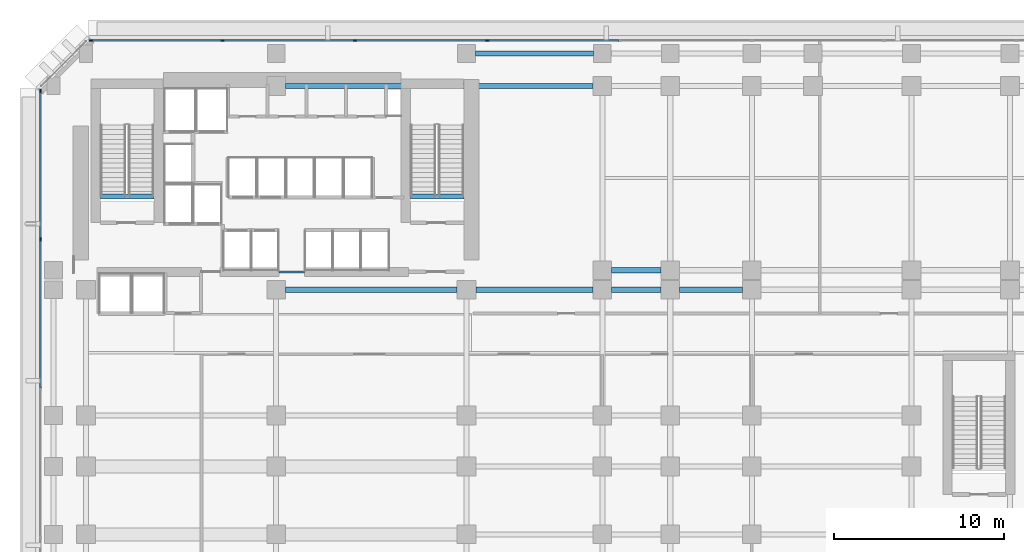
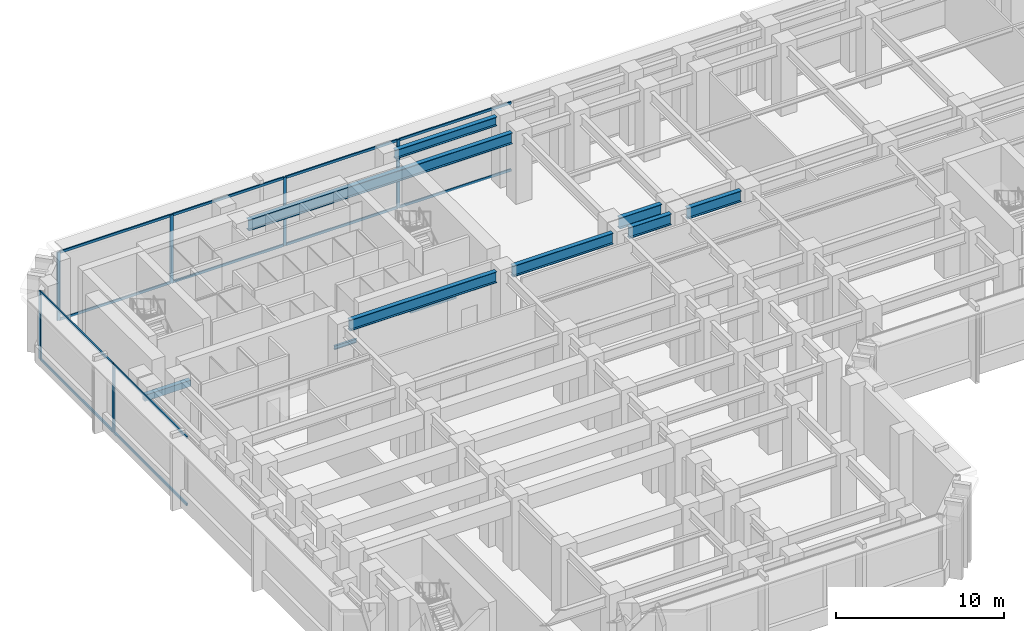
# One storey, part 5 of 20: 18 members, 10 beams, 2 elements without a shape of their own.
"""IFC4 building model written with IfcOpenShell, lengths in metres."""

from ifc_helpers import new_model, si_unit, direction, frame, origin, origin_2d, place, context, subcontext, project, spatial, rectangle, i_section, extrude, material, layer, layer_set, material_profile, profile_set, type_object, element, aggregate, save


model = new_model("IFC4")

# Units and contexts
model_context = context("Model", 3, precision=1e-05, world=origin(), true_north=direction((0.0, 1.0)))
body_context = subcontext(model_context, "Body", "Model", "MODEL_VIEW")
ifc_project = project(units=[si_unit("LENGTHUNIT", "METRE"), si_unit("AREAUNIT", "SQUARE_METRE"), si_unit("VOLUMEUNIT", "CUBIC_METRE"), si_unit("PLANEANGLEUNIT", "RADIAN"), si_unit("MASSUNIT", "GRAM", prefix="KILO")], contexts=[model_context])

# Site, building, storey
site_placement = place(None, origin())
site = spatial("IfcSite", under=ifc_project, at=site_placement, CompositionType="ELEMENT")
building_placement = place(site_placement, origin())
building = spatial("IfcBuilding", under=site, at=building_placement, Name="Kefirva Bronze Tower", CompositionType="ELEMENT")
storey_placement = place(building_placement, frame((0.0, 0.0, 5.93994140625)))
storey = spatial("IfcBuildingStorey", under=building, at=storey_placement, Name="L01", CompositionType="ELEMENT", Elevation=5.93994140625)

# Curtain wall, members
ifc_material_1 = material(Name="Bronze anodised aluminium", Category="aluminium")
ifc_layer = layer(ifc_material_1, 0.239990234375, Name="Bronze anodised aluminium")
ifc_layer_set = layer_set([ifc_layer], Name="Bronze anodised aluminium")
curtain_wall_type = type_object("IfcCurtainWallType", Name="Podium Double-Height Glazed Curtain Wall", PredefinedType="USERDEFINED", material=ifc_layer_set)
curtain_wall_1_placement = place(storey_placement, origin())
curtain_wall_1 = element("IfcCurtainWall", 1, at=curtain_wall_1_placement, inside=storey, type_object=curtain_wall_type, Name="L01 Curtain Wall 4", ObjectType="UNITISED CURTAIN WALL", PredefinedType="USERDEFINED")
ifc_material_profile_1 = material_profile(ifc_material_1, rectangle(XDim=0.090087890625, YDim=0.219970703125, at=origin_2d()), Name="ALU 90x220")
ifc_profile_set_1 = profile_set([ifc_material_profile_1], Name="Bronze anodised aluminium")
member_type_1 = type_object("IfcMemberType", Name="Bronze Mullion 90x220", PredefinedType="MULLION", material=ifc_profile_set_1)
member_1_placement = place(storey_placement, frame((24.422119140625, 47.8798828125, 0.0), z_axis=(0.0, 0.0, 1.0), x_axis=(0.0, -1.0, 0.0)))
member_1 = element("IfcMember", 2, at=member_1_placement, type_object=member_type_1, Name="CW-05 mullion 8", PredefinedType="MULLION", context=body_context, shape_type="SweptSolid", body=[
    extrude(rectangle(XDim=0.090087890625, YDim=0.219970703125, at=origin_2d()), origin(), (0.0, 0.0, 1.0), 4.9599609375),
])
member_2_placement = place(storey_placement, frame((16.633056640625, 47.8798828125, 0.0), z_axis=(0.0, 0.0, 1.0), x_axis=(0.0, -1.0, 0.0)))
member_2 = element("IfcMember", 3, at=member_2_placement, type_object=member_type_1, Name="CW-05 mullion 9", PredefinedType="MULLION", context=body_context, shape_type="SweptSolid", body=[
    extrude(rectangle(XDim=0.090087890625, YDim=0.219970703125, at=origin_2d()), origin(), (0.0, 0.0, 1.0), 4.9599609375),
])
member_3_placement = place(storey_placement, frame((8.843994140625, 47.8798828125, 0.0), z_axis=(0.0, 0.0, 1.0), x_axis=(0.0, -1.0, 0.0)))
member_3 = element("IfcMember", 4, at=member_3_placement, type_object=member_type_1, Name="CW-05 mullion 10", PredefinedType="MULLION", context=body_context, shape_type="SweptSolid", body=[
    extrude(rectangle(XDim=0.090087890625, YDim=0.219970703125, at=origin_2d()), origin(), (0.0, 0.0, 1.0), 4.9599609375),
])
member_4_placement = place(storey_placement, frame((1.10009765625, 47.8798828125, 0.0), z_axis=(0.0, 0.0, 1.0), x_axis=(0.0, -1.0, 0.0)))
member_4 = element("IfcMember", 5, at=member_4_placement, type_object=member_type_1, Name="CW-05 mullion 11", PredefinedType="MULLION", context=body_context, shape_type="SweptSolid", body=[
    extrude(rectangle(XDim=0.090087890625, YDim=0.219970703125, at=origin_2d()), origin(), (0.0, 0.0, 1.0), 4.9599609375),
])

curtain_wall_2_placement = place(storey_placement, origin())
curtain_wall_2 = element("IfcCurtainWall", 6, at=curtain_wall_2_placement, inside=storey, type_object=curtain_wall_type, Name="L01 Curtain Wall 5", ObjectType="UNITISED CURTAIN WALL", PredefinedType="USERDEFINED")
member_5_placement = place(storey_placement, frame((-1.8798828125, 44.89990234375, 0.0), z_axis=(0.0, 0.0, 1.0), x_axis=(1.0, 0.0, 0.0)))
member_5 = element("IfcMember", 7, at=member_5_placement, type_object=member_type_1, Name="CW-05 mullion 1", PredefinedType="MULLION", context=body_context, shape_type="SweptSolid", body=[
    extrude(rectangle(XDim=0.090087890625, YDim=0.219970703125, at=origin_2d()), origin(), (0.0, 0.0, 1.0), 4.9599609375),
])
member_6_placement = place(storey_placement, frame((-1.8798828125, 36.1669921875, 0.0), z_axis=(0.0, 0.0, 1.0), x_axis=(1.0, 0.0, 0.0)))
member_6 = element("IfcMember", 8, at=member_6_placement, type_object=member_type_1, Name="CW-05 mullion 2", PredefinedType="MULLION", context=body_context, shape_type="SweptSolid", body=[
    extrude(rectangle(XDim=0.090087890625, YDim=0.219970703125, at=origin_2d()), origin(), (0.0, 0.0, 1.0), 4.9599609375),
])

# Member
ifc_material_profile_2 = material_profile(ifc_material_1, rectangle(XDim=0.090087890625, YDim=0.179931640625, at=origin_2d()), Name="ALU 90x180")
ifc_profile_set_2 = profile_set([ifc_material_profile_2], Name="Bronze anodised aluminium")
member_type_2 = type_object("IfcMemberType", Name="Bronze Transom 90x180", PredefinedType="USERDEFINED", material=ifc_profile_set_2)
member_7_placement = place(storey_placement, frame((32.166015625, 47.8798828125, 0.045166015625), z_axis=(-1.0, 0.0, 0.0), x_axis=(0.0, -1.0, 0.0)))
member_7 = element("IfcMember", 9, at=member_7_placement, type_object=member_type_2, Name="CW-05 transom 7.1", ObjectType="TRANSOM", PredefinedType="USERDEFINED", context=body_context, shape_type="SweptSolid", body=[
    extrude(rectangle(XDim=0.090087890625, YDim=0.179931640625, at=origin_2d()), origin(), (0.0, 0.0, 1.0), 7.698974609375),
])

member_8_placement = place(storey_placement, frame((32.166015625, 47.8798828125, 4.9150390625), z_axis=(-1.0, 0.0, 0.0), x_axis=(0.0, -1.0, 0.0)))
member_8 = element("IfcMember", 10, at=member_8_placement, type_object=member_type_2, Name="CW-05 transom 7.2", ObjectType="TRANSOM", PredefinedType="USERDEFINED", context=body_context, shape_type="SweptSolid", body=[
    extrude(rectangle(XDim=0.090087890625, YDim=0.179931640625, at=origin_2d()), origin(), (0.0, 0.0, 1.0), 7.698974609375),
])

member_9_placement = place(storey_placement, frame((24.376953125, 47.8798828125, 0.045166015625), z_axis=(-1.0, 0.0, 0.0), x_axis=(0.0, -1.0, 0.0)))
member_9 = element("IfcMember", 11, at=member_9_placement, type_object=member_type_2, Name="CW-05 transom 8.1", ObjectType="TRANSOM", PredefinedType="USERDEFINED", context=body_context, shape_type="SweptSolid", body=[
    extrude(rectangle(XDim=0.090087890625, YDim=0.179931640625, at=origin_2d()), origin(), (0.0, 0.0, 1.0), 7.698974609375),
])

member_10_placement = place(storey_placement, frame((24.376953125, 47.8798828125, 4.9150390625), z_axis=(-1.0, 0.0, 0.0), x_axis=(0.0, -1.0, 0.0)))
member_10 = element("IfcMember", 12, at=member_10_placement, type_object=member_type_2, Name="CW-05 transom 8.2", ObjectType="TRANSOM", PredefinedType="USERDEFINED", context=body_context, shape_type="SweptSolid", body=[
    extrude(rectangle(XDim=0.090087890625, YDim=0.179931640625, at=origin_2d()), origin(), (0.0, 0.0, 1.0), 7.698974609375),
])

member_11_placement = place(storey_placement, frame((16.587890625, 47.8798828125, 0.045166015625), z_axis=(-1.0, 0.0, 0.0), x_axis=(0.0, -1.0, 0.0)))
member_11 = element("IfcMember", 13, at=member_11_placement, type_object=member_type_2, Name="CW-05 transom 9.1", ObjectType="TRANSOM", PredefinedType="USERDEFINED", context=body_context, shape_type="SweptSolid", body=[
    extrude(rectangle(XDim=0.090087890625, YDim=0.179931640625, at=origin_2d()), origin(), (0.0, 0.0, 1.0), 7.698974609375),
])

member_12_placement = place(storey_placement, frame((16.587890625, 47.8798828125, 4.9150390625), z_axis=(-1.0, 0.0, 0.0), x_axis=(0.0, -1.0, 0.0)))
member_12 = element("IfcMember", 14, at=member_12_placement, type_object=member_type_2, Name="CW-05 transom 9.2", ObjectType="TRANSOM", PredefinedType="USERDEFINED", context=body_context, shape_type="SweptSolid", body=[
    extrude(rectangle(XDim=0.090087890625, YDim=0.179931640625, at=origin_2d()), origin(), (0.0, 0.0, 1.0), 7.698974609375),
])

member_13_placement = place(storey_placement, frame((8.799072265625, 47.8798828125, 0.045166015625), z_axis=(-1.0, 0.0, 0.0), x_axis=(0.0, -1.0, 0.0)))
member_13 = element("IfcMember", 15, at=member_13_placement, type_object=member_type_2, Name="CW-05 transom 10.1", ObjectType="TRANSOM", PredefinedType="USERDEFINED", context=body_context, shape_type="SweptSolid", body=[
    extrude(rectangle(XDim=0.090087890625, YDim=0.179931640625, at=origin_2d()), origin(), (0.0, 0.0, 1.0), 7.654052734375),
])

member_14_placement = place(storey_placement, frame((8.799072265625, 47.8798828125, 4.9150390625), z_axis=(-1.0, 0.0, 0.0), x_axis=(0.0, -1.0, 0.0)))
member_14 = element("IfcMember", 16, at=member_14_placement, type_object=member_type_2, Name="CW-05 transom 10.2", ObjectType="TRANSOM", PredefinedType="USERDEFINED", context=body_context, shape_type="SweptSolid", body=[
    extrude(rectangle(XDim=0.090087890625, YDim=0.179931640625, at=origin_2d()), origin(), (0.0, 0.0, 1.0), 7.654052734375),
])

aggregate(curtain_wall_1, [member_1, member_2, member_3, member_4, member_7, member_8, member_9, member_10, member_11, member_12, member_13, member_14])

member_15_placement = place(storey_placement, frame((-1.8798828125, 44.85498046875, 0.045166015625), z_axis=(0.0, -1.0, 0.0), x_axis=(1.0, 0.0, 0.0)))
member_15 = element("IfcMember", 17, at=member_15_placement, type_object=member_type_2, Name="CW-05 transom 1.1", ObjectType="TRANSOM", PredefinedType="USERDEFINED", context=body_context, shape_type="SweptSolid", body=[
    extrude(rectangle(XDim=0.090087890625, YDim=0.179931640625, at=origin_2d()), origin(), (0.0, 0.0, 1.0), 8.64306640625),
])

member_16_placement = place(storey_placement, frame((-1.8798828125, 44.85498046875, 4.9150390625), z_axis=(0.0, -1.0, 0.0), x_axis=(1.0, 0.0, 0.0)))
member_16 = element("IfcMember", 18, at=member_16_placement, type_object=member_type_2, Name="CW-05 transom 1.2", ObjectType="TRANSOM", PredefinedType="USERDEFINED", context=body_context, shape_type="SweptSolid", body=[
    extrude(rectangle(XDim=0.090087890625, YDim=0.179931640625, at=origin_2d()), origin(), (0.0, 0.0, 1.0), 8.64306640625),
])

member_17_placement = place(storey_placement, frame((-1.8798828125, 36.1220703125, 0.045166015625), z_axis=(0.0, -1.0, 0.0), x_axis=(1.0, 0.0, 0.0)))
member_17 = element("IfcMember", 19, at=member_17_placement, type_object=member_type_2, Name="CW-05 transom 2.1", ObjectType="TRANSOM", PredefinedType="USERDEFINED", context=body_context, shape_type="SweptSolid", body=[
    extrude(rectangle(XDim=0.090087890625, YDim=0.179931640625, at=origin_2d()), origin(), (0.0, 0.0, 1.0), 8.68798828125),
])

member_18_placement = place(storey_placement, frame((-1.8798828125, 36.1220703125, 4.9150390625), z_axis=(0.0, -1.0, 0.0), x_axis=(1.0, 0.0, 0.0)))
member_18 = element("IfcMember", 20, at=member_18_placement, type_object=member_type_2, Name="CW-05 transom 2.2", ObjectType="TRANSOM", PredefinedType="USERDEFINED", context=body_context, shape_type="SweptSolid", body=[
    extrude(rectangle(XDim=0.090087890625, YDim=0.179931640625, at=origin_2d()), origin(), (0.0, 0.0, 1.0), 8.68798828125),
])

aggregate(curtain_wall_2, [member_5, member_6, member_15, member_16, member_17, member_18])

# Beams
ifc_material_2 = material(Name="Concrete C50/60", Category="concrete")
ifc_material_profile_3 = material_profile(ifc_material_2, rectangle(XDim=0.300048828125, YDim=0.449951171875, at=origin_2d()), Name="RC 300x450")
ifc_profile_set_3 = profile_set([ifc_material_profile_3], Name="Concrete C50/60")
beam_type_1 = type_object("IfcBeamType", Name="RC Stair Trimmer Beam 300x450", PredefinedType="BEAM", material=ifc_profile_set_3)
beam_1_placement = place(storey_placement, frame((1.64501953125, 38.699951171875, -0.224853515625), z_axis=(1.0, 0.0, 0.0), x_axis=(0.0, 1.0, 0.0)))
element("IfcBeam", 21, at=beam_1_placement, inside=storey, type_object=beam_type_1, Name="L01 Stair 1 Landing Trimmer Beam", PredefinedType="BEAM", context=body_context, shape_type="SweptSolid", body=[
    extrude(rectangle(XDim=0.300048828125, YDim=0.449951171875, at=origin_2d()), origin(), (0.0, 0.0, 1.0), 3.14990234375),
])
beam_2_placement = place(storey_placement, frame((19.89501953125, 38.699951171875, -0.224853515625), z_axis=(1.0, 0.0, 0.0), x_axis=(0.0, 1.0, 0.0)))
element("IfcBeam", 22, at=beam_2_placement, inside=storey, type_object=beam_type_1, Name="L01 Stair 2 Landing Trimmer Beam", PredefinedType="BEAM", context=body_context, shape_type="SweptSolid", body=[
    extrude(rectangle(XDim=0.300048828125, YDim=0.449951171875, at=origin_2d()), origin(), (0.0, 0.0, 1.0), 3.159912109375),
])
ifc_material_3 = material(Name="Steel S355", Category="steel")
ifc_material_profile_4 = material_profile(ifc_material_3, i_section(OverallWidth=0.300048828125, OverallDepth=0.800048828125, WebThickness=0.017578125, FlangeThickness=0.032958984375, at=origin_2d()), Name="HEB 800")
ifc_profile_set_4 = profile_set([ifc_material_profile_4], Name="Steel S355")
beam_type_2 = type_object("IfcBeamType", Name="Steel Girder HEB 800", PredefinedType="USERDEFINED", material=ifc_profile_set_4)
beam_3_placement = place(storey_placement, frame((12.550048828125, 33.199951171875, 4.56005859375), z_axis=(1.0, 0.0, 0.0), x_axis=(0.0, 1.0, 0.0)))
element("IfcBeam", 23, at=beam_3_placement, inside=storey, type_object=beam_type_2, Name="L01 BM-L01-EW-12-332", ObjectType="GIRDER", PredefinedType="USERDEFINED", context=body_context, shape_type="SweptSolid", body=[
    extrude(i_section(OverallWidth=0.300048828125, OverallDepth=0.800048828125, WebThickness=0.017578125, FlangeThickness=0.032958984375, at=origin_2d()), origin(), (0.0, 0.0, 1.0), 10.099853515625),
])
beam_4_placement = place(storey_placement, frame((23.75, 33.199951171875, 4.56005859375), z_axis=(1.0, 0.0, 0.0), x_axis=(0.0, 1.0, 0.0)))
element("IfcBeam", 24, at=beam_4_placement, inside=storey, type_object=beam_type_2, Name="L01 BM-L01-EW-23-332", ObjectType="GIRDER", PredefinedType="USERDEFINED", context=body_context, shape_type="SweptSolid", body=[
    extrude(i_section(OverallWidth=0.300048828125, OverallDepth=0.800048828125, WebThickness=0.017578125, FlangeThickness=0.032958984375, at=origin_2d()), origin(), (0.0, 0.0, 1.0), 6.89990234375),
])
beam_5_placement = place(storey_placement, frame((31.75, 33.199951171875, 4.56005859375), z_axis=(1.0, 0.0, 0.0), x_axis=(0.0, 1.0, 0.0)))
element("IfcBeam", 25, at=beam_5_placement, inside=storey, type_object=beam_type_2, Name="L01 BM-L01-EW-31-332", ObjectType="GIRDER", PredefinedType="USERDEFINED", context=body_context, shape_type="SweptSolid", body=[
    extrude(i_section(OverallWidth=0.300048828125, OverallDepth=0.800048828125, WebThickness=0.017578125, FlangeThickness=0.032958984375, at=origin_2d()), origin(), (0.0, 0.0, 1.0), 2.89990234375),
])
beam_6_placement = place(storey_placement, frame((35.75, 33.199951171875, 4.56005859375), z_axis=(1.0, 0.0, 0.0), x_axis=(0.0, 1.0, 0.0)))
element("IfcBeam", 26, at=beam_6_placement, inside=storey, type_object=beam_type_2, Name="L01 BM-L01-EW-35-332", ObjectType="GIRDER", PredefinedType="USERDEFINED", context=body_context, shape_type="SweptSolid", body=[
    extrude(i_section(OverallWidth=0.300048828125, OverallDepth=0.800048828125, WebThickness=0.017578125, FlangeThickness=0.032958984375, at=origin_2d()), origin(), (0.0, 0.0, 1.0), 3.699951171875),
])
beam_7_placement = place(storey_placement, frame((31.75, 34.35009765625, 4.56005859375), z_axis=(1.0, 0.0, 0.0), x_axis=(0.0, 1.0, 0.0)))
element("IfcBeam", 27, at=beam_7_placement, inside=storey, type_object=beam_type_2, Name="L01 BM-L01-EW-31-344", ObjectType="GIRDER", PredefinedType="USERDEFINED", context=body_context, shape_type="SweptSolid", body=[
    extrude(i_section(OverallWidth=0.300048828125, OverallDepth=0.800048828125, WebThickness=0.017578125, FlangeThickness=0.032958984375, at=origin_2d()), origin(), (0.0, 0.0, 1.0), 2.89990234375),
])
beam_8_placement = place(storey_placement, frame((12.550048828125, 45.199951171875, 4.56005859375), z_axis=(1.0, 0.0, 0.0), x_axis=(0.0, 1.0, 0.0)))
element("IfcBeam", 28, at=beam_8_placement, inside=storey, type_object=beam_type_2, Name="L01 BM-L01-EW-12-452", ObjectType="GIRDER", PredefinedType="USERDEFINED", context=body_context, shape_type="SweptSolid", body=[
    extrude(i_section(OverallWidth=0.300048828125, OverallDepth=0.800048828125, WebThickness=0.017578125, FlangeThickness=0.032958984375, at=origin_2d()), origin(), (0.0, 0.0, 1.0), 18.099853515625),
])
ifc_material_profile_5 = material_profile(ifc_material_3, i_section(OverallWidth=0.135009765625, OverallDepth=0.27001953125, WebThickness=0.006591796875, FlangeThickness=0.01025390625, at=origin_2d()), Name="IPE 270")
ifc_profile_set_5 = profile_set([ifc_material_profile_5], Name="Steel S355")
beam_type_3 = type_object("IfcBeamType", Name="Steel Opening Lintel IPE 270", PredefinedType="LINTEL", material=ifc_profile_set_5)
beam_9_placement = place(storey_placement, frame((12.159912109375, 34.25, 2.400146484375), z_axis=(1.0, 0.0, 0.0), x_axis=(0.0, 1.0, 0.0)))
element("IfcBeam", 29, at=beam_9_placement, inside=storey, type_object=beam_type_3, Name="L01 Core Lobby Lintel", PredefinedType="LINTEL", context=body_context, shape_type="SweptSolid", body=[
    extrude(i_section(OverallWidth=0.135009765625, OverallDepth=0.27001953125, WebThickness=0.006591796875, FlangeThickness=0.01025390625, at=origin_2d()), origin(), (0.0, 0.0, 1.0), 1.52001953125),
])
ifc_material_profile_6 = material_profile(ifc_material_3, i_section(OverallWidth=0.300048828125, OverallDepth=0.64990234375, WebThickness=0.01611328125, FlangeThickness=0.031005859375, at=origin_2d()), Name="HEB 650")
ifc_profile_set_6 = profile_set([ifc_material_profile_6], Name="Steel S355")
beam_type_4 = type_object("IfcBeamType", Name="Steel Spandrel HEB 650 Ext", PredefinedType="SPANDREL", material=ifc_profile_set_6)
beam_10_placement = place(storey_placement, frame((23.72509765625, 47.10009765625, 4.635009765625), z_axis=(1.0, 0.0, 0.0), x_axis=(0.0, 1.0, 0.0)))
element("IfcBeam", 30, at=beam_10_placement, inside=storey, type_object=beam_type_4, Name="L01 BM-L01-EW-23-471", PredefinedType="SPANDREL", context=body_context, shape_type="SweptSolid", body=[
    extrude(i_section(OverallWidth=0.300048828125, OverallDepth=0.64990234375, WebThickness=0.01611328125, FlangeThickness=0.031005859375, at=origin_2d()), origin(), (0.0, 0.0, 1.0), 6.949951171875),
])

save(model, "model.ifc")
